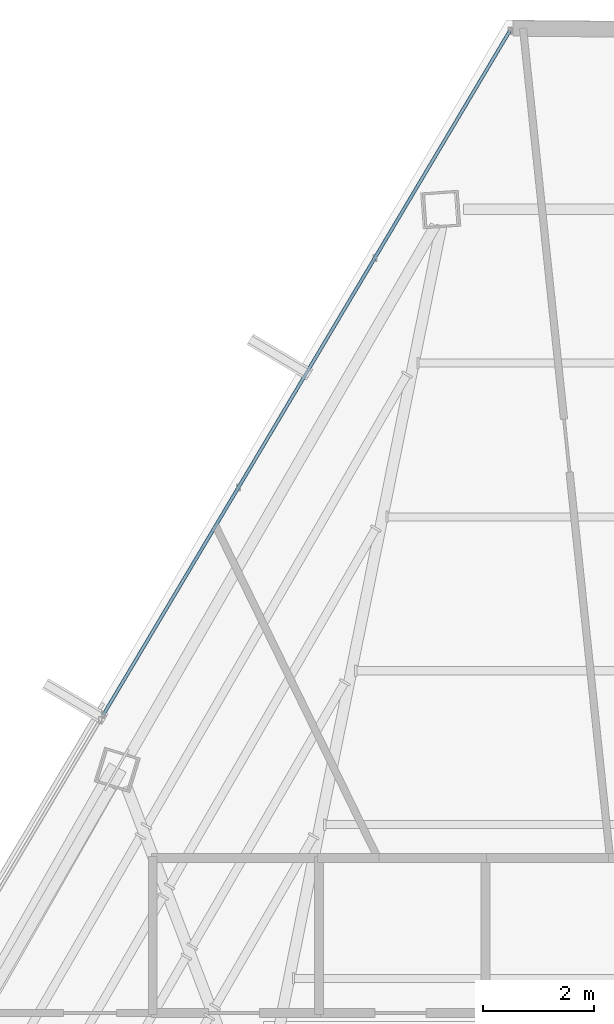
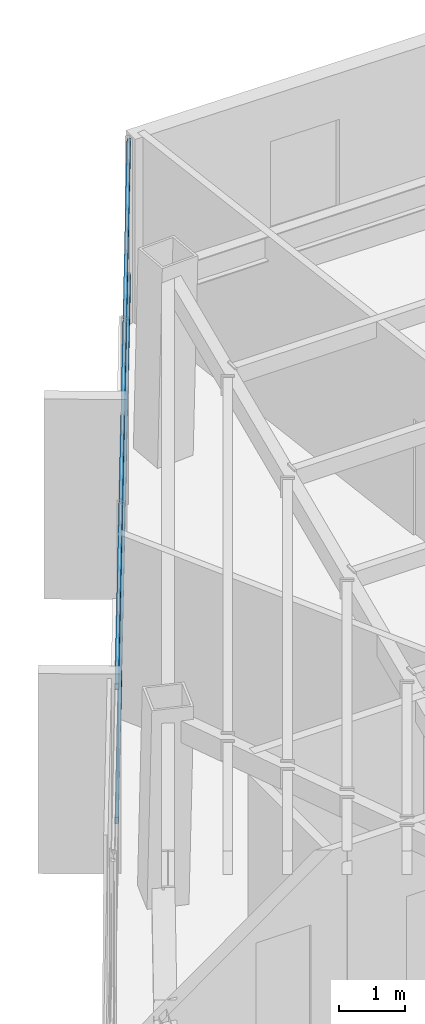
# One storey, part 30 of 45: 2 members, 1 element without a shape of its own.
"""IFC4 building model written with IfcOpenShell, lengths in metres."""

from ifc_helpers import new_model, si_unit, direction, frame, origin, origin_2d, place, context, subcontext, project, spatial, hollow_rectangle, extrude, source, transform, mapped, material, material_profile, profile_set, type_object, type_shapes, element, aggregate, save


model = new_model("IFC4")

# Units and contexts
model_context = context("Model", 3, precision=1e-05, world=origin(), true_north=direction((0.0, 1.0)))
body_context = subcontext(model_context, "Body", "Model", "MODEL_VIEW")
ifc_project = project(units=[si_unit("LENGTHUNIT", "METRE"), si_unit("AREAUNIT", "SQUARE_METRE"), si_unit("VOLUMEUNIT", "CUBIC_METRE"), si_unit("PLANEANGLEUNIT", "RADIAN"), si_unit("MASSUNIT", "GRAM", prefix="KILO")], contexts=[model_context])

# Site, building, storey
site_placement = place(None, origin())
site = spatial("IfcSite", under=ifc_project, at=site_placement, CompositionType="ELEMENT")
building_placement = place(site_placement, origin())
building = spatial("IfcBuilding", under=site, at=building_placement, Name="Caelisora Broadcast Tower", CompositionType="ELEMENT")
storey_placement = place(building_placement, frame((0.0, 0.0, 240.800048828125)))
storey = spatial("IfcBuildingStorey", under=building, at=storey_placement, Name="L63", CompositionType="ELEMENT", Elevation=240.800048828125)

# Curtain wall, members
ifc_material_1 = material(Name="Unitised Aluminium and Low-E Glass Curtain Wall", Category="glass")
curtain_wall_type = type_object("IfcCurtainWallType", Name="CW-Z5", PredefinedType="NOTDEFINED", material=ifc_material_1)
curtain_wall_placement = place(storey_placement, origin())
curtain_wall = element("IfcCurtainWall", 1, at=curtain_wall_placement, inside=storey, type_object=curtain_wall_type, Name="L63 curtain wall CW-Z5", PredefinedType="NOTDEFINED")
ifc_material_2 = material(Name="Aluminium 6063-T6 Anodised Terracotta Bronze", Category="aluminium")
ifc_material_profile = material_profile(ifc_material_2, hollow_rectangle(XDim=0.06005859375, YDim=0.1201171875, WallThickness=0.0029296875, at=origin_2d()), Name="Aluminium 6063-T6 Anodised Terracotta Bronze")
ifc_profile_set = profile_set([ifc_material_profile], Name="Aluminium 6063-T6 Anodised Terracotta Bronze")
member_type = type_object("IfcMemberType", Name="CWT-03", PredefinedType="USERDEFINED", material=ifc_profile_set)
shared_shape = source(origin(), body_context, "Body", "SweptSolid", [
    extrude(hollow_rectangle(XDim=0.06005859375, YDim=0.1201171875, WallThickness=0.0029296875, at=origin_2d()), origin(), (0.0, 0.0, 1.0), 14.35693359375),
])
type_shapes(member_type, [shared_shape])
member_1_placement = place(storey_placement, frame((27.707763671875, 37.53271484375, 0.849853515625), z_axis=(0.510952809497, 0.859608763606, 0.0), x_axis=(-0.859608763606, 0.510952809497, 0.0)))
member_1 = element("IfcMember", 2, at=member_1_placement, type_object=member_type, Name="L63-CW-B11 transom #1", ObjectType="TRANSOM", PredefinedType="USERDEFINED", context=body_context, shape_type="MappedRepresentation", body=[
    mapped(shared_shape, transform((0.0, 0.0, 0.0), scale=1.0)),
])
member_2_placement = place(storey_placement, frame((27.707763671875, 37.53271484375, 3.320068359375), z_axis=(0.510952809497, 0.859608763606, 0.0), x_axis=(-0.859608763606, 0.510952809497, 0.0)))
member_2 = element("IfcMember", 3, at=member_2_placement, type_object=member_type, Name="L63-CW-B11 transom #2", ObjectType="TRANSOM", PredefinedType="USERDEFINED", context=body_context, shape_type="MappedRepresentation", body=[
    mapped(shared_shape, transform((0.0, 0.0, 0.0), scale=1.0)),
])
aggregate(curtain_wall, [member_1, member_2])

save(model, "model.ifc")
